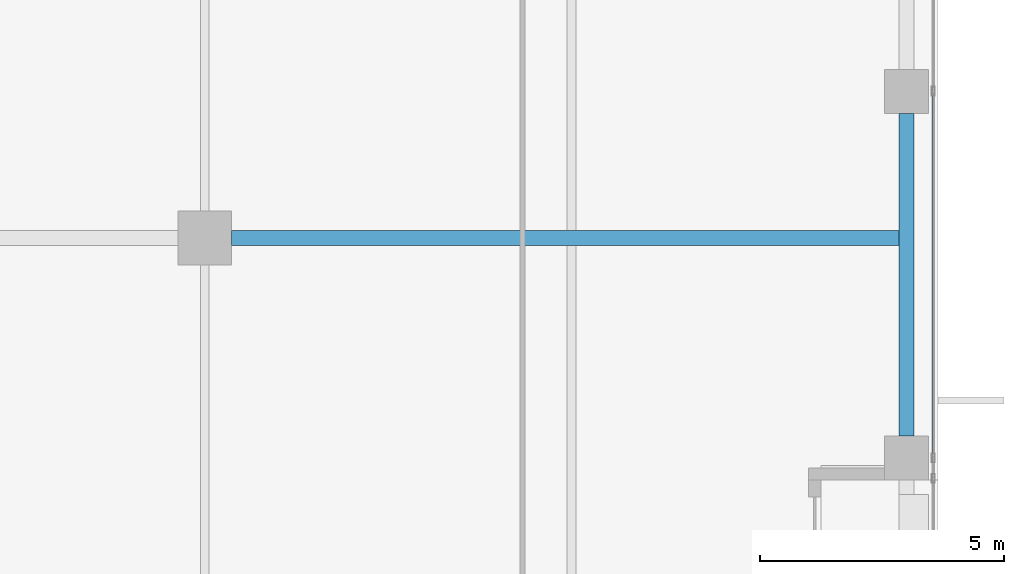
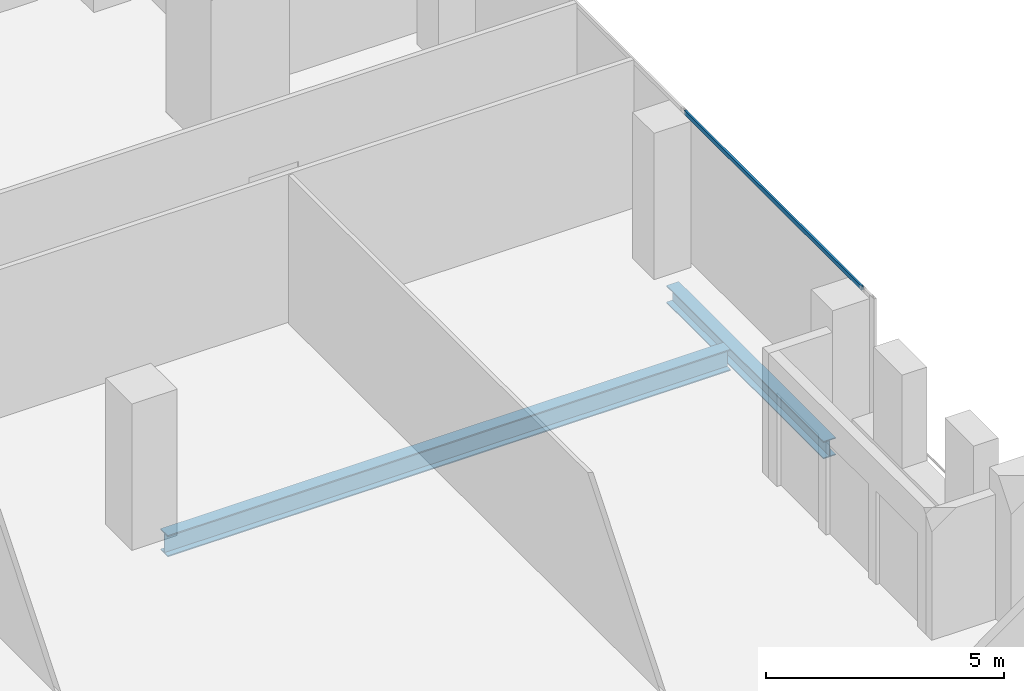
# One storey, part 14 of 36: 2 beams, 1 member, 1 element without a shape of its own.
"""IFC4 building model written with IfcOpenShell, lengths in metres."""

from ifc_helpers import new_model, si_unit, direction, frame, origin, origin_2d, place, context, subcontext, project, spatial, hollow_rectangle, i_section, extrude, source, transform, mapped, material, material_profile, profile_set, type_object, element, aggregate, save


model = new_model("IFC4")

# Units and contexts
model_context = context("Model", 3, precision=1e-05, world=origin(), true_north=direction((0.0, 1.0)))
body_context = subcontext(model_context, "Body", "Model", "MODEL_VIEW")
ifc_project = project(units=[si_unit("LENGTHUNIT", "METRE"), si_unit("AREAUNIT", "SQUARE_METRE"), si_unit("VOLUMEUNIT", "CUBIC_METRE"), si_unit("PLANEANGLEUNIT", "RADIAN"), si_unit("MASSUNIT", "GRAM", prefix="KILO")], contexts=[model_context])

# Site, building, storey
site_placement = place(None, origin())
site = spatial("IfcSite", under=ifc_project, at=site_placement, CompositionType="ELEMENT")
building_placement = place(site_placement, origin())
building = spatial("IfcBuilding", under=site, at=building_placement, Name="Khomas Fold Tower", CompositionType="ELEMENT")
storey_placement = place(building_placement, frame((0.0, 0.0, 230.199951171875)))
storey = spatial("IfcBuildingStorey", under=building, at=storey_placement, Name="L51", CompositionType="ELEMENT", Elevation=230.199951171875)

# Beams
ifc_material_1 = material(Name="Steel S355", Category="steel")
ifc_material_profile_1 = material_profile(ifc_material_1, i_section(OverallWidth=0.300048828125, OverallDepth=0.449951171875, WebThickness=0.013916015625, FlangeThickness=0.02587890625, at=origin_2d()), Name="HE 450 B")
ifc_profile_set_1 = profile_set([ifc_material_profile_1], Name="Steel S355")
beam_type_1 = type_object("IfcBeamType", Name="HE 450 B spandrel SB4", PredefinedType="SPANDREL", material=ifc_profile_set_1)
shared_shape_1 = source(origin(), body_context, "Body", "SweptSolid", [
    extrude(i_section(OverallWidth=0.300048828125, OverallDepth=0.449951171875, WebThickness=0.013916015625, FlangeThickness=0.02587890625, at=origin_2d()), origin(), (0.0, 0.0, 1.0), 6.60009765625),
])
beam_1_placement = place(storey_placement, frame((48.85009765625, 27.449951171875, -0.474853515625), z_axis=(0.0, 1.0, 0.0), x_axis=(-1.0, 0.0, 0.0)))
element("IfcBeam", 1, at=beam_1_placement, inside=storey, type_object=beam_type_1, Name="SB4", PredefinedType="SPANDREL", context=body_context, shape_type="MappedRepresentation", body=[
    mapped(shared_shape_1, transform((0.0, 0.0, 0.0))),
])
ifc_material_2 = material(Name="Steel S355", Category="steel")
ifc_material_profile_2 = material_profile(ifc_material_2, i_section(OverallWidth=0.300048828125, OverallDepth=0.550048828125, WebThickness=0.014892578125, FlangeThickness=0.029052734375, at=origin_2d()), Name="HE 550 B")
ifc_profile_set_2 = profile_set([ifc_material_profile_2], Name="Steel S355")
beam_type_2 = type_object("IfcBeamType", Name="HE 550 B beam GB4", PredefinedType="BEAM", material=ifc_profile_set_2)
shared_shape_2 = source(origin(), body_context, "Body", "SweptSolid", [
    extrude(i_section(OverallWidth=0.300048828125, OverallDepth=0.550048828125, WebThickness=0.014892578125, FlangeThickness=0.029052734375, at=origin_2d()), origin(), (0.0, 0.0, 1.0), 13.64990234375),
])
beam_2_placement = place(storey_placement, frame((35.050048828125, 31.5, -0.52490234375), z_axis=(1.0, 0.0, 0.0), x_axis=(0.0, 1.0, 0.0)))
element("IfcBeam", 2, at=beam_2_placement, inside=storey, type_object=beam_type_2, Name="GB4", PredefinedType="BEAM", context=body_context, shape_type="MappedRepresentation", body=[
    mapped(shared_shape_2, transform((0.0, 0.0, 0.0))),
])

# Curtain wall, member
ifc_material_3 = material(Name="Aluminium framed double glazing", Category="aluminium")
curtain_wall_type = type_object("IfcCurtainWallType", Name="SK-Unitised clear-glass wall, office floors CW2", PredefinedType="NOTDEFINED", material=ifc_material_3)
curtain_wall_placement = place(storey_placement, origin())
curtain_wall = element("IfcCurtainWall", 3, at=curtain_wall_placement, inside=storey, type_object=curtain_wall_type, Name="CW2 run L51 03-1", PredefinedType="NOTDEFINED")
ifc_material_4 = material(Name="Aluminium", Category="aluminium")
ifc_material_profile_3 = material_profile(ifc_material_4, hollow_rectangle(XDim=0.050048828125, YDim=0.110107421875, WallThickness=0.00390625, at=origin_2d()), Name="SK-Unitised clear-glass wall, office floors transom CW2-T")
ifc_profile_set_3 = profile_set([ifc_material_profile_3], Name="Aluminium")
member_type = type_object("IfcMemberType", Name="SK-Unitised clear-glass wall, office floors transom CW2-T", PredefinedType="USERDEFINED", material=ifc_profile_set_3)
shared_shape_3 = source(origin(), body_context, "Body", "SweptSolid", [
    extrude(hollow_rectangle(XDim=0.050048828125, YDim=0.110107421875, WallThickness=0.00390625, at=origin_2d()), origin(), (0.0, 0.0, 1.0), 7.43994140625),
])
member_placement = place(storey_placement, frame((49.39990234375, 27.030029296875, 3.695068359375), z_axis=(0.0, 1.0, 0.0), x_axis=(-1.0, 0.0, 0.0)))
member = element("IfcMember", 4, at=member_placement, type_object=member_type, Name="CW2 transom 2", ObjectType="TRANSOM", PredefinedType="USERDEFINED", context=body_context, shape_type="MappedRepresentation", body=[
    mapped(shared_shape_3, transform((0.0, 0.0, 0.0))),
])
aggregate(curtain_wall, [member])

save(model, "model.ifc")
